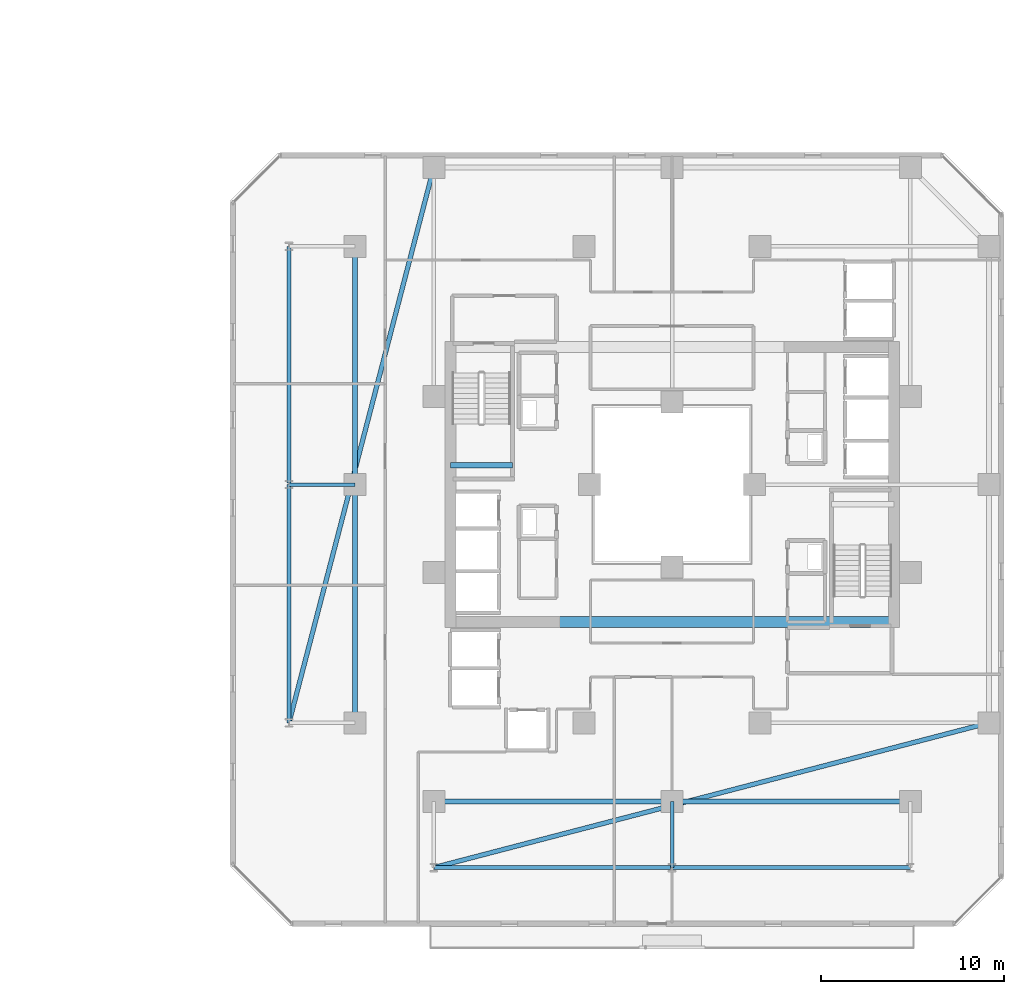
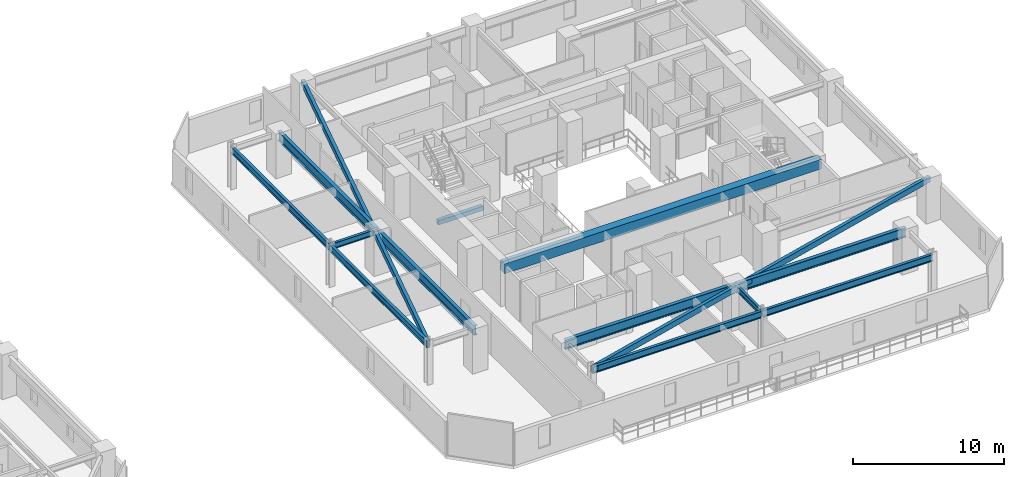
# One storey, part 12 of 33: 14 beams.
"""IFC4 building model written with IfcOpenShell, lengths in metres."""

from ifc_helpers import new_model, si_unit, direction, frame, origin, origin_2d, place, context, subcontext, project, spatial, rectangle, hollow_rectangle, i_section, extrude, material, material_profile, profile_set, type_object, element, save


model = new_model("IFC4")

# Units and contexts
model_context = context("Model", 3, precision=1e-05, world=origin(), true_north=direction((0.0, 1.0)))
body_context = subcontext(model_context, "Body", "Model", "MODEL_VIEW")
ifc_project = project(units=[si_unit("LENGTHUNIT", "METRE"), si_unit("AREAUNIT", "SQUARE_METRE"), si_unit("VOLUMEUNIT", "CUBIC_METRE"), si_unit("PLANEANGLEUNIT", "RADIAN"), si_unit("MASSUNIT", "GRAM", prefix="KILO")], contexts=[model_context])

# Site, building, storey
site_placement = place(None, origin())
site = spatial("IfcSite", under=ifc_project, at=site_placement, CompositionType="ELEMENT")
building_placement = place(site_placement, origin())
building = spatial("IfcBuilding", under=site, at=building_placement, Name="Thornwick Lancets Civic Towers", CompositionType="ELEMENT")
storey_placement = place(building_placement, frame((0.0, 0.0, 108.89990234375)))
storey = spatial("IfcBuildingStorey", under=building, at=storey_placement, Name="L28", CompositionType="ELEMENT", Elevation=108.89990234375)

# Beams
ifc_material_1 = material(Name="Concrete C60/75", Category="concrete")
ifc_material_profile_1 = material_profile(ifc_material_1, rectangle(XDim=0.60009765625, YDim=0.800048828125, at=origin_2d()), Name="RC 600x800")
ifc_profile_set_1 = profile_set([ifc_material_profile_1], Name="Concrete C60/75")
beam_type_1 = type_object("IfcBeamType", Name="BM_COUP_RC800", PredefinedType="BEAM", material=ifc_profile_set_1)
beam_1_placement = place(storey_placement, frame((76.39990234375, 19.5, 2.960205078125), z_axis=(1.0, 0.0, 0.0), x_axis=(0.0, 1.0, 0.0)))
element("IfcBeam", 1, at=beam_1_placement, inside=storey, type_object=beam_type_1, Name="CB-L28-B2", PredefinedType="BEAM", context=body_context, shape_type="SweptSolid", body=[
    extrude(rectangle(XDim=0.60009765625, YDim=0.800048828125, at=origin_2d()), origin(), (0.0, 0.0, 1.0), 24.2001953125),
])
ifc_material_2 = material(Name="Steel S355JR", Category="steel")
ifc_material_profile_2 = material_profile(ifc_material_2, i_section(OverallWidth=0.2119140625, OverallDepth=0.54443359375, WebThickness=0.0126953125, FlangeThickness=0.021240234375, FilletRadius=0.0126953125, at=origin_2d()), Name="UKB 533x210x122")
ifc_profile_set_2 = profile_set([ifc_material_profile_2], Name="Steel S355JR")
beam_type_2 = type_object("IfcBeamType", Name="BM_EDGE_533_122", PredefinedType="SPANDREL", material=ifc_profile_set_2)
beam_2_placement = place(storey_placement, frame((67.60009765625, 14.0, 3.087890625), z_axis=(0.0, 1.0, 0.0), x_axis=(-1.0, 0.0, 0.0)))
element("IfcBeam", 2, at=beam_2_placement, inside=storey, type_object=beam_type_2, Name="BM-EDGE-L28-B-S2-1", PredefinedType="SPANDREL", context=body_context, shape_type="SweptSolid", body=[
    extrude(i_section(OverallWidth=0.2119140625, OverallDepth=0.54443359375, WebThickness=0.0126953125, FlangeThickness=0.021240234375, FilletRadius=0.0126953125, at=origin_2d()), origin(), (0.0, 0.0, 1.0), 13.0),
])
beam_3_placement = place(storey_placement, frame((67.60009765625, 27.080078125, 3.087890625), z_axis=(0.0, 1.0, 0.0), x_axis=(-1.0, 0.0, 0.0)))
element("IfcBeam", 3, at=beam_3_placement, inside=storey, type_object=beam_type_2, Name="BM-EDGE-L28-B-S2-2", PredefinedType="SPANDREL", context=body_context, shape_type="SweptSolid", body=[
    extrude(i_section(OverallWidth=0.2119140625, OverallDepth=0.54443359375, WebThickness=0.0126953125, FlangeThickness=0.021240234375, FilletRadius=0.0126953125, at=origin_2d()), origin(), (0.0, 0.0, 1.0), 12.919921875),
])
beam_4_placement = place(storey_placement, frame((101.5, 6.10009765625, 3.087890625), z_axis=(-1.0, 0.0, 0.0), x_axis=(0.0, -1.0, 0.0)))
element("IfcBeam", 4, at=beam_4_placement, inside=storey, type_object=beam_type_2, Name="BM-EDGE-L28-B-S3-1", PredefinedType="SPANDREL", context=body_context, shape_type="SweptSolid", body=[
    extrude(i_section(OverallWidth=0.2119140625, OverallDepth=0.54443359375, WebThickness=0.0126953125, FlangeThickness=0.021240234375, FilletRadius=0.0126953125, at=origin_2d()), origin(), (0.0, 0.0, 1.0), 13.0),
])
beam_5_placement = place(storey_placement, frame((88.419921875, 6.10009765625, 3.087890625), z_axis=(-1.0, 0.0, 0.0), x_axis=(0.0, -1.0, 0.0)))
element("IfcBeam", 5, at=beam_5_placement, inside=storey, type_object=beam_type_2, Name="BM-EDGE-L28-B-S3-2", PredefinedType="SPANDREL", context=body_context, shape_type="SweptSolid", body=[
    extrude(i_section(OverallWidth=0.2119140625, OverallDepth=0.54443359375, WebThickness=0.0126953125, FlangeThickness=0.021240234375, FilletRadius=0.0126953125, at=origin_2d()), origin(), (0.0, 0.0, 1.0), 12.919921875),
])
ifc_material_profile_3 = material_profile(ifc_material_2, i_section(OverallWidth=0.26806640625, OverallDepth=0.769775390625, WebThickness=0.015625, FlangeThickness=0.025390625, FilletRadius=0.0166015625, at=origin_2d()), Name="UKB 762x267x197")
ifc_profile_set_3 = profile_set([ifc_material_profile_3], Name="Steel S355JR")
beam_type_3 = type_object("IfcBeamType", Name="BM_GIRD_762_197", PredefinedType="BEAM", material=ifc_profile_set_3)
beam_6_placement = place(storey_placement, frame((71.199951171875, 14.0, 2.97509765625), z_axis=(0.0, 1.0, 0.0), x_axis=(-1.0, 0.0, 0.0)))
element("IfcBeam", 6, at=beam_6_placement, inside=storey, type_object=beam_type_3, Name="BM-SPINE-L28-B-6-7", PredefinedType="BEAM", context=body_context, shape_type="SweptSolid", body=[
    extrude(i_section(OverallWidth=0.26806640625, OverallDepth=0.769775390625, WebThickness=0.015625, FlangeThickness=0.025390625, FilletRadius=0.0166015625, at=origin_2d()), origin(), (0.0, 0.0, 1.0), 13.0),
])
beam_7_placement = place(storey_placement, frame((71.199951171875, 27.080078125, 2.97509765625), z_axis=(0.0, 1.0, 0.0), x_axis=(-1.0, 0.0, 0.0)))
element("IfcBeam", 7, at=beam_7_placement, inside=storey, type_object=beam_type_3, Name="BM-SPINE-L28-B-7-8", PredefinedType="BEAM", context=body_context, shape_type="SweptSolid", body=[
    extrude(i_section(OverallWidth=0.26806640625, OverallDepth=0.769775390625, WebThickness=0.015625, FlangeThickness=0.025390625, FilletRadius=0.0166015625, at=origin_2d()), origin(), (0.0, 0.0, 1.0), 12.919921875),
])
beam_8_placement = place(storey_placement, frame((101.5, 9.699951171875, 2.97509765625), z_axis=(-1.0, 0.0, 0.0), x_axis=(0.0, -1.0, 0.0)))
element("IfcBeam", 8, at=beam_8_placement, inside=storey, type_object=beam_type_3, Name="BM-SPINE-L28-B-9-10", PredefinedType="BEAM", context=body_context, shape_type="SweptSolid", body=[
    extrude(i_section(OverallWidth=0.26806640625, OverallDepth=0.769775390625, WebThickness=0.015625, FlangeThickness=0.025390625, FilletRadius=0.0166015625, at=origin_2d()), origin(), (0.0, 0.0, 1.0), 13.0),
])
beam_9_placement = place(storey_placement, frame((88.419921875, 9.699951171875, 2.97509765625), z_axis=(-1.0, 0.0, 0.0), x_axis=(0.0, -1.0, 0.0)))
element("IfcBeam", 9, at=beam_9_placement, inside=storey, type_object=beam_type_3, Name="BM-SPINE-L28-B-10-11", PredefinedType="BEAM", context=body_context, shape_type="SweptSolid", body=[
    extrude(i_section(OverallWidth=0.26806640625, OverallDepth=0.769775390625, WebThickness=0.015625, FlangeThickness=0.025390625, FilletRadius=0.0166015625, at=origin_2d()), origin(), (0.0, 0.0, 1.0), 12.919921875),
])
ifc_material_profile_4 = material_profile(ifc_material_2, i_section(OverallWidth=0.19189453125, OverallDepth=0.46337890625, WebThickness=0.010498046875, FlangeThickness=0.017578125, FilletRadius=0.01025390625, at=origin_2d()), Name="UKB 457x191x89")
ifc_profile_set_4 = profile_set([ifc_material_profile_4], Name="Steel S355JR")
beam_type_4 = type_object("IfcBeamType", Name="BM_JOIST_457_89", PredefinedType="JOIST", material=ifc_profile_set_4)
for number, where, z_axis, x_axis, name in (
    (10, (71.199951171875, 27.0, 3.12841796875), (-1.0, 0.0, 0.0), (0.0, -1.0, 0.0), "BM-RAD-L28-B08"),
    (11, (88.5, 9.699951171875, 3.12841796875), (0.0, -1.0, 0.0), (1.0, 0.0, 0.0), "BM-RAD-L28-B11"),
):
    element("IfcBeam", number, at=place(storey_placement, frame(where, z_axis=z_axis, x_axis=x_axis)), inside=storey, type_object=beam_type_4, Name=name, PredefinedType="JOIST", context=body_context, shape_type="SweptSolid", body=[
        extrude(i_section(OverallWidth=0.19189453125, OverallDepth=0.46337890625, WebThickness=0.010498046875, FlangeThickness=0.017578125, FilletRadius=0.01025390625, at=origin_2d()), origin(), (0.0, 0.0, 1.0), 3.599853515625),
    ])
ifc_material_profile_5 = material_profile(ifc_material_2, hollow_rectangle(XDim=0.25, YDim=0.449951171875, WallThickness=0.01611328125, at=origin_2d()), Name="RHS 450x250x16")
ifc_profile_set_5 = profile_set([ifc_material_profile_5], Name="Steel S355JR")
beam_type_5 = type_object("IfcBeamType", Name="BM_RING_RHS450", PredefinedType="BEAM", material=ifc_profile_set_5)
for number, where, z_axis, x_axis, name in (
    (12, (75.5, 44.300048828125, 3.135009765625), (-0.252288590311, -0.967652038286, 0.0), (0.967652038286, -0.252288590311, 0.0), "BM-CHAMF-L28-B-C1"),
    (13, (75.5, 6.10009765625, 3.135009765625), (0.967652038286, 0.252288590311, 0.0), (-0.252288590311, 0.967652038286, 0.0), "BM-CHAMF-L28-B-C3"),
):
    element("IfcBeam", number, at=place(storey_placement, frame(where, z_axis=z_axis, x_axis=x_axis)), inside=storey, type_object=beam_type_5, Name=name, PredefinedType="BEAM", context=body_context, shape_type="SweptSolid", body=[
        extrude(hollow_rectangle(XDim=0.25, YDim=0.449951171875, WallThickness=0.01611328125, at=origin_2d()), origin(), (0.0, 0.0, 1.0), 31.31298828125),
    ])
ifc_material_3 = material(Name="Concrete C40/50", Category="concrete")
ifc_material_profile_6 = material_profile(ifc_material_3, rectangle(XDim=0.300048828125, YDim=0.35009765625, at=origin_2d()), Name="RC 300x350")
ifc_profile_set_6 = profile_set([ifc_material_profile_6], Name="Concrete C40/50")
beam_type_6 = type_object("IfcBeamType", Name="BM_STAIR_LDG", PredefinedType="BEAM", material=ifc_profile_set_6)
beam_10_placement = place(storey_placement, frame((76.39990234375, 28.06494140625, 1.378173828125), z_axis=(1.0, 0.0, 0.0), x_axis=(0.0, 1.0, 0.0)))
element("IfcBeam", 14, at=beam_10_placement, inside=storey, type_object=beam_type_6, Name="L28 ST-B2 Landing Support Beam 1", PredefinedType="BEAM", context=body_context, shape_type="SweptSolid", body=[
    extrude(rectangle(XDim=0.300048828125, YDim=0.35009765625, at=origin_2d()), origin(), (0.0, 0.0, 1.0), 3.400146484375),
])

save(model, "model.ifc")
